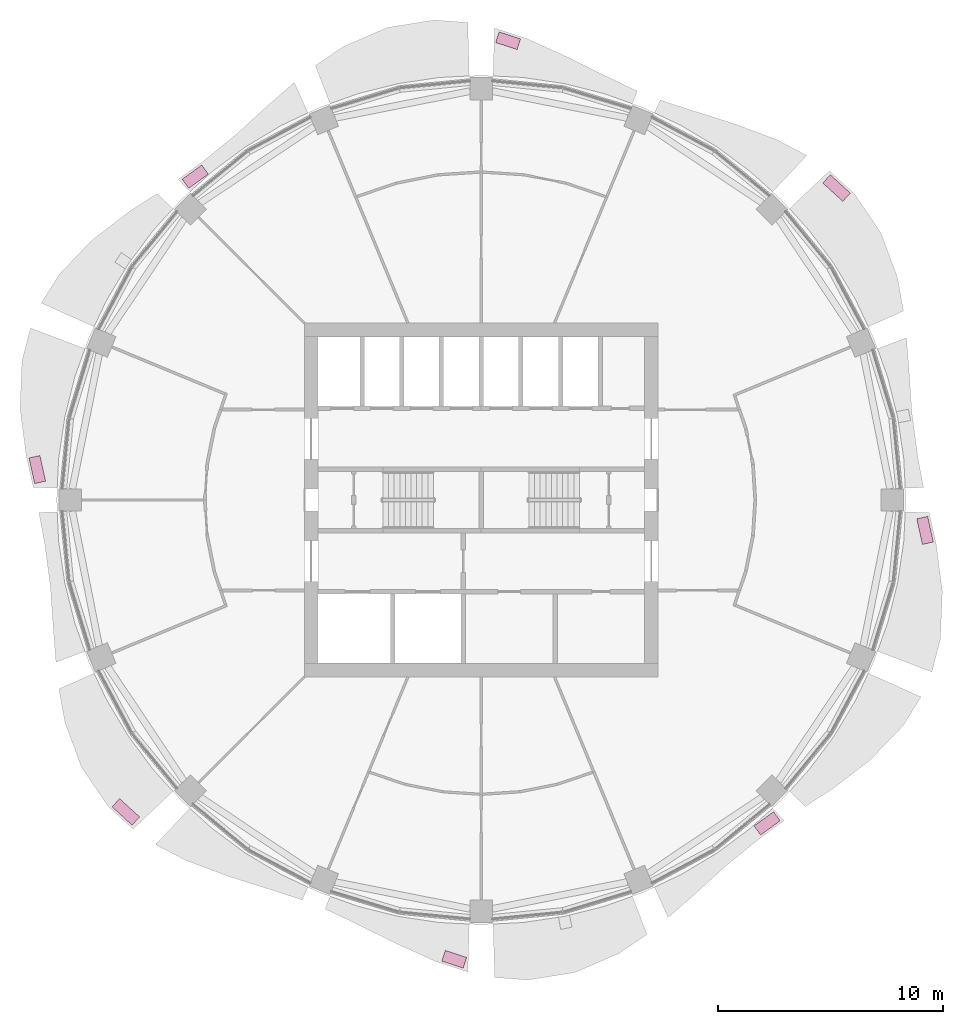
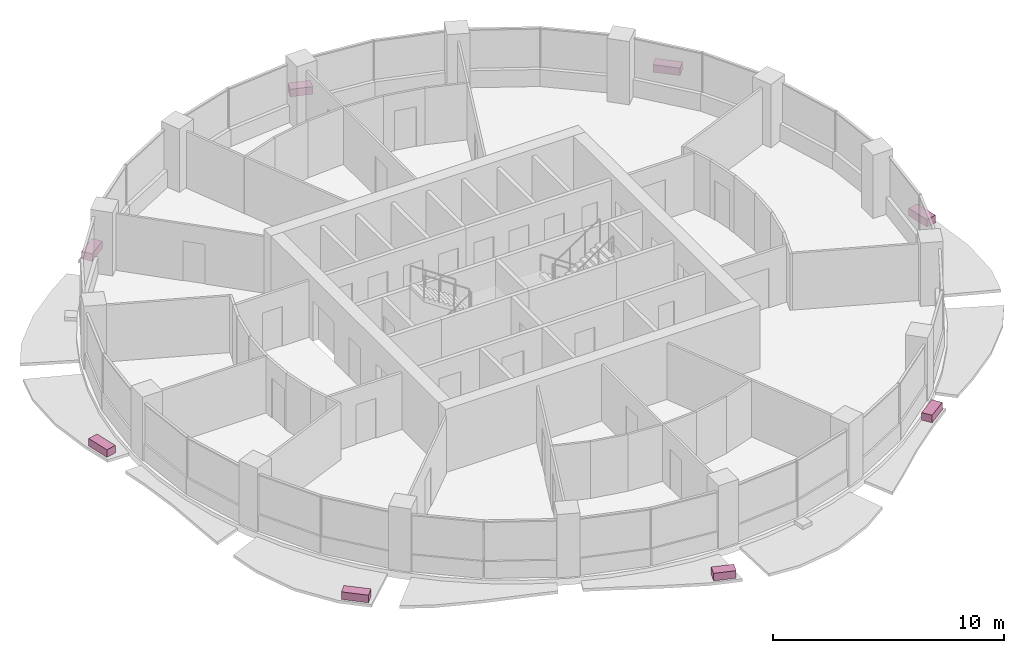
# One storey, part 14 of 14: 8 furniture elements.
"""IFC4 building model written with IfcOpenShell, lengths in metres."""

from ifc_helpers import new_model, si_unit, direction, frame, origin, origin_2d, place, context, subcontext, project, spatial, rectangle, extrude, material, type_object, element, save


model = new_model("IFC4")

# Units and contexts
model_context = context("Model", 3, precision=1e-05, world=origin(), true_north=direction((0.0, 1.0)))
body_context = subcontext(model_context, "Body", "Model", "MODEL_VIEW")
ifc_project = project(units=[si_unit("LENGTHUNIT", "METRE"), si_unit("AREAUNIT", "SQUARE_METRE"), si_unit("VOLUMEUNIT", "CUBIC_METRE"), si_unit("PLANEANGLEUNIT", "RADIAN"), si_unit("MASSUNIT", "GRAM", prefix="KILO")], contexts=[model_context])

# Site, building, storey
site_placement = place(None, origin())
site = spatial("IfcSite", under=ifc_project, at=site_placement, CompositionType="ELEMENT")
building_placement = place(site_placement, origin())
building = spatial("IfcBuilding", under=site, at=building_placement, Name="Polderwave Tower", CompositionType="ELEMENT")
storey_placement = place(building_placement, frame((0.0, 0.0, 147.75)))
storey = spatial("IfcBuildingStorey", under=building, at=storey_placement, Name="L39", CompositionType="ELEMENT", Elevation=147.75)

# Furniture
ifc_material = material(Name="Terracotta", Category="masonry")
furniture_type = type_object("IfcFurnitureType", Name="Terracotta planting trough", AssemblyPlace="NOTDEFINED", PredefinedType="USERDEFINED", material=ifc_material)
furniture_1_placement = place(storey_placement, frame((15.818603515625, 13.88330078125, -0.199951171875), z_axis=(0.0, 0.0, 1.0), x_axis=(-0.738307035931, 0.674464766089, 0.0)))
element("IfcFurniture", 1, at=furniture_1_placement, inside=storey, type_object=furniture_type, Name="Planting trough L39 2", ObjectType="PLANTER", PredefinedType="USERDEFINED", context=body_context, shape_type="SweptSolid", body=[
    extrude(rectangle(XDim=1.208984375, YDim=0.5, at=origin_2d()), origin(), (0.0, 0.0, 1.0), 0.39990234375),
])
furniture_2_placement = place(storey_placement, frame((1.198974609375, 20.442626953125, -0.199951171875), z_axis=(0.0, 0.0, 1.0), x_axis=(-0.9513602412, 0.3080806574, 0.0)))
element("IfcFurniture", 2, at=furniture_2_placement, inside=storey, type_object=furniture_type, Name="Planting trough L39 4", ObjectType="PLANTER", PredefinedType="USERDEFINED", context=body_context, shape_type="SweptSolid", body=[
    extrude(rectangle(XDim=1.006591796875, YDim=0.5, at=origin_2d()), origin(), (0.0, 0.0, 1.0), 0.39990234375),
])
furniture_3_placement = place(storey_placement, frame((-12.72705078125, 14.392822265625, -0.199951171875), z_axis=(0.0, 0.0, 1.0), x_axis=(-0.8075989364, -0.589732106914, 0.0)))
element("IfcFurniture", 3, at=furniture_3_placement, inside=storey, type_object=furniture_type, Name="Planting trough L39 6", ObjectType="PLANTER", PredefinedType="USERDEFINED", context=body_context, shape_type="SweptSolid", body=[
    extrude(rectangle(XDim=1.077392578125, YDim=0.5, at=origin_2d()), origin(), (0.0, 0.0, 1.0), 0.39990234375),
])
furniture_4_placement = place(storey_placement, frame((-19.75732421875, 1.35400390625, -0.199951171875), z_axis=(0.0, 0.0, 1.0), x_axis=(0.21765266459, -0.976026289398, 0.0)))
element("IfcFurniture", 4, at=furniture_4_placement, inside=storey, type_object=furniture_type, Name="Planting trough L39 8", ObjectType="PLANTER", PredefinedType="USERDEFINED", context=body_context, shape_type="SweptSolid", body=[
    extrude(rectangle(XDim=1.17041015625, YDim=0.5, at=origin_2d()), origin(), (0.0, 0.0, 1.0), 0.39990234375),
])
furniture_5_placement = place(storey_placement, frame((-15.818603515625, -13.88330078125, -0.199951171875), z_axis=(0.0, 0.0, 1.0), x_axis=(0.738307035931, -0.674464766089, 0.0)))
element("IfcFurniture", 5, at=furniture_5_placement, inside=storey, type_object=furniture_type, Name="Planting trough L39 10", ObjectType="PLANTER", PredefinedType="USERDEFINED", context=body_context, shape_type="SweptSolid", body=[
    extrude(rectangle(XDim=1.208984375, YDim=0.5, at=origin_2d()), origin(), (0.0, 0.0, 1.0), 0.39990234375),
])
furniture_6_placement = place(storey_placement, frame((-1.198974609375, -20.442626953125, -0.199951171875), z_axis=(0.0, 0.0, 1.0), x_axis=(0.9513602412, -0.3080806574, 0.0)))
element("IfcFurniture", 6, at=furniture_6_placement, inside=storey, type_object=furniture_type, Name="Planting trough L39 12", ObjectType="PLANTER", PredefinedType="USERDEFINED", context=body_context, shape_type="SweptSolid", body=[
    extrude(rectangle(XDim=1.006591796875, YDim=0.5, at=origin_2d()), origin(), (0.0, 0.0, 1.0), 0.39990234375),
])
furniture_7_placement = place(storey_placement, frame((12.72705078125, -14.392822265625, -0.199951171875), z_axis=(0.0, 0.0, 1.0), x_axis=(0.8075989364, 0.589732106914, 0.0)))
element("IfcFurniture", 7, at=furniture_7_placement, inside=storey, type_object=furniture_type, Name="Planting trough L39 14", ObjectType="PLANTER", PredefinedType="USERDEFINED", context=body_context, shape_type="SweptSolid", body=[
    extrude(rectangle(XDim=1.077392578125, YDim=0.5, at=origin_2d()), origin(), (0.0, 0.0, 1.0), 0.39990234375),
])
furniture_8_placement = place(storey_placement, frame((19.75732421875, -1.35400390625, -0.199951171875), z_axis=(0.0, 0.0, 1.0), x_axis=(-0.21765266459, 0.976026289398, 0.0)))
element("IfcFurniture", 8, at=furniture_8_placement, inside=storey, type_object=furniture_type, Name="Planting trough L39 16", ObjectType="PLANTER", PredefinedType="USERDEFINED", context=body_context, shape_type="SweptSolid", body=[
    extrude(rectangle(XDim=1.17041015625, YDim=0.5, at=origin_2d()), origin(), (0.0, 0.0, 1.0), 0.39990234375),
])

save(model, "model.ifc")
